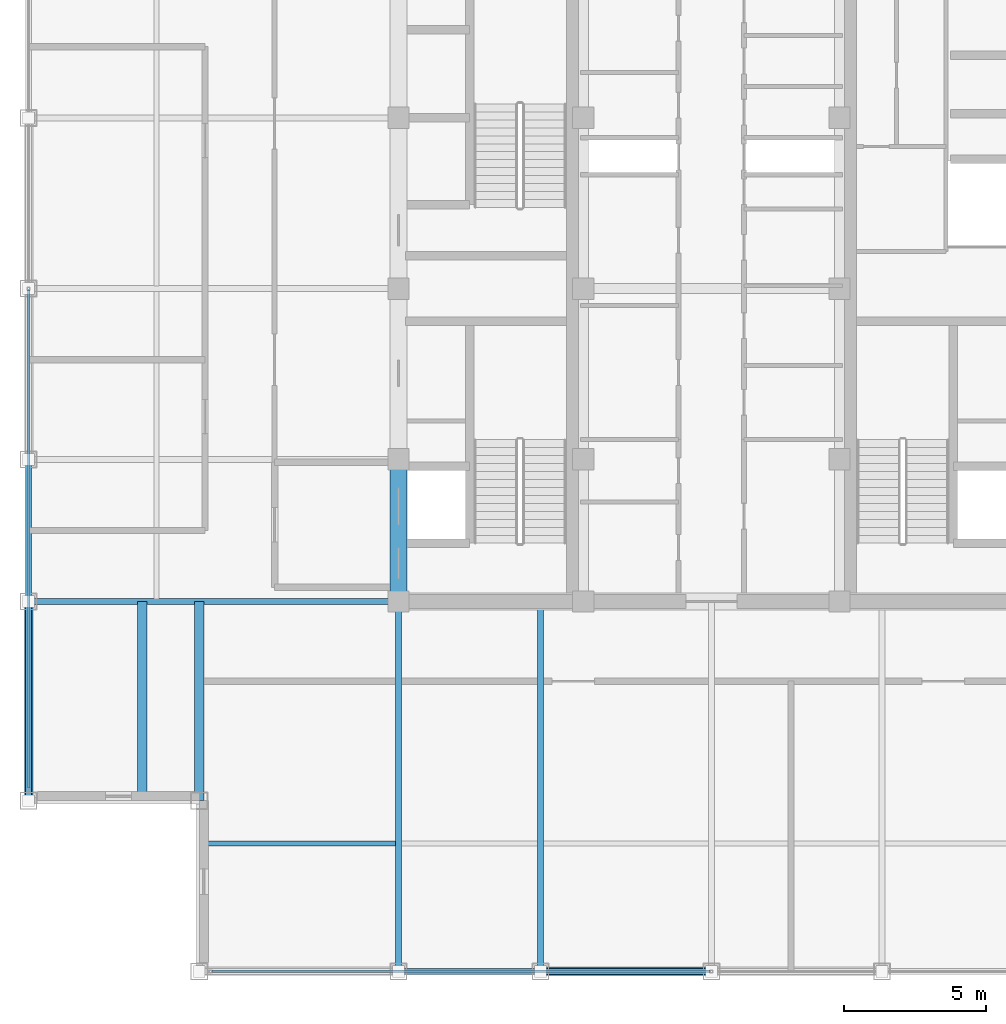
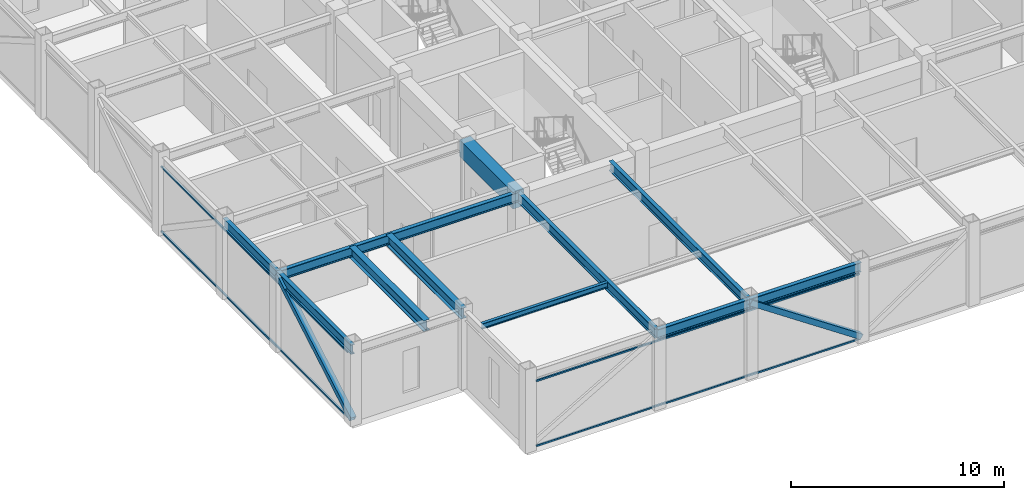
# One storey, part 3 of 27: 11 beams, 6 members, 2 elements without a shape of their own.
"""IFC4 building model written with IfcOpenShell, lengths in metres."""

from ifc_helpers import new_model, si_unit, direction, frame, origin, origin_2d, place, context, subcontext, project, spatial, rectangle, hollow_rectangle, i_section, extrude, source, transform, mapped, material, material_profile, profile_set, type_object, element, aggregate, save


model = new_model("IFC4")

# Units and contexts
model_context = context("Model", 3, precision=1e-05, world=origin(), true_north=direction((0.0, 1.0)))
body_context = subcontext(model_context, "Body", "Model", "MODEL_VIEW")
ifc_project = project(units=[si_unit("LENGTHUNIT", "METRE"), si_unit("AREAUNIT", "SQUARE_METRE"), si_unit("VOLUMEUNIT", "CUBIC_METRE"), si_unit("PLANEANGLEUNIT", "RADIAN"), si_unit("MASSUNIT", "GRAM", prefix="KILO")], contexts=[model_context])

# Site, building, storey
site_placement = place(None, origin())
site = spatial("IfcSite", under=ifc_project, at=site_placement, CompositionType="ELEMENT")
building_placement = place(site_placement, origin())
building = spatial("IfcBuilding", under=site, at=building_placement, Name="Khorayat Bourse Tower", CompositionType="ELEMENT")
storey_placement = place(building_placement, frame((0.0, 0.0, 394.699951171875)))
storey = spatial("IfcBuildingStorey", under=building, at=storey_placement, Name="L93", CompositionType="ELEMENT", Elevation=394.699951171875)

# Beams
ifc_material_1 = material(Name="Concrete C60/75", Category="concrete")
ifc_material_profile_1 = material_profile(ifc_material_1, rectangle(XDim=0.60009765625, YDim=0.949951171875, at=origin_2d()), Name="RC 600x950")
ifc_profile_set_1 = profile_set([ifc_material_profile_1], Name="Concrete C60/75")
beam_type_1 = type_object("IfcBeamType", Name="BM-COUP-950", PredefinedType="BEAM", material=ifc_profile_set_1)
shared_shape_1 = source(origin(), body_context, "Body", "SweptSolid", [
    extrude(rectangle(XDim=0.60009765625, YDim=0.949951171875, at=origin_2d()), origin(), (0.0, 0.0, 1.0), 5.0),
])
beam_1_placement = place(storey_placement, frame((-11.0, -11.0, 3.97509765625), z_axis=(0.0, 1.0, 0.0), x_axis=(-1.0, 0.0, 0.0)))
element("IfcBeam", 1, at=beam_1_placement, inside=storey, type_object=beam_type_1, Name="L93 BM-COUP-950 BM-L93-CRX-01", PredefinedType="BEAM", context=body_context, shape_type="MappedRepresentation", body=[
    mapped(shared_shape_1, transform((0.0, 0.0, 0.0), scale=1.0)),
])
ifc_material_2 = material(Name="Steel ASTM A992 Grade 50", Category="steel")
ifc_material_profile_2 = material_profile(ifc_material_2, i_section(OverallWidth=0.214111328125, OverallDepth=0.549072265625, WebThickness=0.0146484375, FlangeThickness=0.023681640625, FilletRadius=0.013916015625, at=origin_2d()), Name="W530X138")
ifc_profile_set_2 = profile_set([ifc_material_profile_2], Name="Steel ASTM A992 Grade 50")
beam_type_2 = type_object("IfcBeamType", Name="BM-SPAN-530", PredefinedType="SPANDREL", material=ifc_profile_set_2)
shared_shape_2 = source(origin(), body_context, "Body", "SweptSolid", [
    extrude(i_section(OverallWidth=0.214111328125, OverallDepth=0.549072265625, WebThickness=0.0146484375, FlangeThickness=0.023681640625, FilletRadius=0.013916015625, at=origin_2d()), origin(), (0.0, 0.0, 1.0), 5.0),
])
for number, where, z_axis, x_axis, name in (
    (2, (-11.0, -24.0, 4.175537109375), (1.0, 0.0, 0.0), (0.0, 1.0, 0.0), "L93 BM-SPAN-530 BM-L93-SPN-025"),
    (3, (-24.0, -11.0, 4.175537109375), (0.0, 1.0, 0.0), (-1.0, 0.0, 0.0), "L93 BM-SPAN-530 BM-L93-SPN-052"),
):
    element("IfcBeam", number, at=place(storey_placement, frame(where, z_axis=z_axis, x_axis=x_axis)), inside=storey, type_object=beam_type_2, Name=name, PredefinedType="SPANDREL", context=body_context, shape_type="MappedRepresentation", body=[
        mapped(shared_shape_2, transform((0.0, 0.0, 0.0), scale=1.0)),
    ])
shared_shape_3 = source(origin(), body_context, "Body", "SweptSolid", [
    extrude(i_section(OverallWidth=0.214111328125, OverallDepth=0.549072265625, WebThickness=0.0146484375, FlangeThickness=0.023681640625, FilletRadius=0.013916015625, at=origin_2d()), origin(), (0.0, 0.0, 1.0), 6.0),
])
beam_2_placement = place(storey_placement, frame((-6.0, -24.0, 4.175537109375), z_axis=(1.0, 0.0, 0.0), x_axis=(0.0, 1.0, 0.0)))
element("IfcBeam", 4, at=beam_2_placement, inside=storey, type_object=beam_type_2, Name="L93 BM-SPAN-530 BM-L93-SPN-026", PredefinedType="SPANDREL", context=body_context, shape_type="MappedRepresentation", body=[
    mapped(shared_shape_3, transform((0.0, 0.0, 0.0), scale=1.0)),
])
shared_shape_4 = source(origin(), body_context, "Body", "SweptSolid", [
    extrude(i_section(OverallWidth=0.214111328125, OverallDepth=0.549072265625, WebThickness=0.0146484375, FlangeThickness=0.023681640625, FilletRadius=0.013916015625, at=origin_2d()), origin(), (0.0, 0.0, 1.0), 7.0),
])
beam_3_placement = place(storey_placement, frame((-24.0, -18.0, 4.175537109375), z_axis=(0.0, 1.0, 0.0), x_axis=(-1.0, 0.0, 0.0)))
element("IfcBeam", 5, at=beam_3_placement, inside=storey, type_object=beam_type_2, Name="L93 BM-SPAN-530 BM-L93-SPN-053", PredefinedType="SPANDREL", context=body_context, shape_type="MappedRepresentation", body=[
    mapped(shared_shape_4, transform((0.0, 0.0, 0.0), scale=1.0)),
])
ifc_material_profile_3 = material_profile(ifc_material_2, i_section(OverallWidth=0.214111328125, OverallDepth=0.549072265625, WebThickness=0.0146484375, FlangeThickness=0.023681640625, FilletRadius=0.013916015625, at=origin_2d()), Name="W530X138")
ifc_profile_set_3 = profile_set([ifc_material_profile_3], Name="Steel ASTM A992 Grade 50")
beam_type_3 = type_object("IfcBeamType", Name="BM-GIRD-530", PredefinedType="BEAM", material=ifc_profile_set_3)
shared_shape_5 = source(origin(), body_context, "Body", "SweptSolid", [
    extrude(i_section(OverallWidth=0.214111328125, OverallDepth=0.549072265625, WebThickness=0.0146484375, FlangeThickness=0.023681640625, FilletRadius=0.013916015625, at=origin_2d()), origin(), (0.0, 0.0, 1.0), 13.0),
])
for number, where, z_axis, x_axis, name in (
    (6, (-11.0, -24.0, 4.175537109375), (0.0, 1.0, 0.0), (-1.0, 0.0, 0.0), "L93 BM-GIRD-530 BM-L93-RADY-057"),
    (7, (-6.0, -24.0, 4.175537109375), (0.0, 1.0, 0.0), (-1.0, 0.0, 0.0), "L93 BM-GIRD-530 BM-L93-RADY-059"),
    (8, (-24.0, -11.0, 4.175537109375), (1.0, 0.0, 0.0), (0.0, 1.0, 0.0), "L93 BM-GIRD-530 BM-L93-RADX-067"),
):
    element("IfcBeam", number, at=place(storey_placement, frame(where, z_axis=z_axis, x_axis=x_axis)), inside=storey, type_object=beam_type_3, Name=name, PredefinedType="BEAM", context=body_context, shape_type="MappedRepresentation", body=[
        mapped(shared_shape_5, transform((0.0, 0.0, 0.0), scale=1.0)),
    ])
ifc_material_profile_4 = material_profile(ifc_material_2, i_section(OverallWidth=0.324951171875, OverallDepth=0.615966796875, WebThickness=0.013916015625, FlangeThickness=0.021484375, FilletRadius=0.01611328125, at=origin_2d()), Name="W610X174")
ifc_profile_set_4 = profile_set([ifc_material_profile_4], Name="Steel ASTM A992 Grade 50")
beam_type_4 = type_object("IfcBeamType", Name="BM-GIRD-610", PredefinedType="BEAM", material=ifc_profile_set_4)
shared_shape_6 = source(origin(), body_context, "Body", "SweptSolid", [
    extrude(i_section(OverallWidth=0.324951171875, OverallDepth=0.615966796875, WebThickness=0.013916015625, FlangeThickness=0.021484375, FilletRadius=0.01611328125, at=origin_2d()), origin(), (0.0, 0.0, 1.0), 7.0),
])
for number, where, z_axis, x_axis, name in (
    (9, (-18.0, -18.0, 4.14208984375), (0.0, 1.0, 0.0), (-1.0, 0.0, 0.0), "L93 BM-GIRD-610 BM-L93-CNRY-076"),
    (10, (-20.0, -18.0, 4.14208984375), (0.0, 1.0, 0.0), (-1.0, 0.0, 0.0), "L93 BM-GIRD-610 BM-L93-CNRY-080"),
):
    element("IfcBeam", number, at=place(storey_placement, frame(where, z_axis=z_axis, x_axis=x_axis)), inside=storey, type_object=beam_type_4, Name=name, PredefinedType="BEAM", context=body_context, shape_type="MappedRepresentation", body=[
        mapped(shared_shape_6, transform((0.0, 0.0, 0.0), scale=1.0)),
    ])
ifc_material_profile_5 = material_profile(ifc_material_2, i_section(OverallWidth=0.1669921875, OverallDepth=0.31689453125, WebThickness=0.007568359375, FlangeThickness=0.01318359375, FilletRadius=0.010009765625, at=origin_2d()), Name="W310X52")
ifc_profile_set_5 = profile_set([ifc_material_profile_5], Name="Steel ASTM A992 Grade 50")
beam_type_5 = type_object("IfcBeamType", Name="BM-JOIST-310", PredefinedType="JOIST", material=ifc_profile_set_5)
shared_shape_7 = source(origin(), body_context, "Body", "SweptSolid", [
    extrude(i_section(OverallWidth=0.1669921875, OverallDepth=0.31689453125, WebThickness=0.007568359375, FlangeThickness=0.01318359375, FilletRadius=0.010009765625, at=origin_2d()), origin(), (0.0, 0.0, 1.0), 6.81005859375),
])
beam_4_placement = place(storey_placement, frame((-17.905029296875, -19.5, 4.29150390625), z_axis=(1.0, 0.0, 0.0), x_axis=(0.0, 1.0, 0.0)))
element("IfcBeam", 11, at=beam_4_placement, inside=storey, type_object=beam_type_5, Name="L93 BM-JOIST-310 BM-L93-JSTX-084", PredefinedType="JOIST", context=body_context, shape_type="MappedRepresentation", body=[
    mapped(shared_shape_7, transform((0.0, 0.0, 0.0), scale=1.0)),
])

# Members
ifc_material_3 = material(Name="Steel EN 10025-2 S355J2", Category="steel")
ifc_material_profile_6 = material_profile(ifc_material_3, hollow_rectangle(XDim=0.300048828125, YDim=0.300048828125, WallThickness=0.01611328125, at=origin_2d()), Name="HSS 300x300x16")
ifc_profile_set_6 = profile_set([ifc_material_profile_6], Name="Steel EN 10025-2 S355J2")
member_type_1 = type_object("IfcMemberType", Name="MBR-CROWN-300", PredefinedType="USERDEFINED", material=ifc_profile_set_6)
shared_shape_8 = source(origin(), body_context, "Body", "SweptSolid", [
    extrude(hollow_rectangle(XDim=0.300048828125, YDim=0.300048828125, WallThickness=0.01611328125, at=origin_2d()), origin(), (0.0, 0.0, 1.0), 8.087158203125),
])
member_1_placement = place(storey_placement, frame((-24.0, -18.0, 0.199951171875), z_axis=(0.0, 0.865564731219, 0.500797060763), x_axis=(-1.0, 0.0, 0.0)))
element("IfcMember", 12, at=member_1_placement, inside=storey, type_object=member_type_1, Name="L93 Lantern Crown Frame Member 09", ObjectType="CROWN FRAME", PredefinedType="USERDEFINED", context=body_context, shape_type="MappedRepresentation", body=[
    mapped(shared_shape_8, transform((0.0, 0.0, 0.0), scale=1.0)),
])
shared_shape_9 = source(origin(), body_context, "Body", "SweptSolid", [
    extrude(hollow_rectangle(XDim=0.300048828125, YDim=0.300048828125, WallThickness=0.01611328125, at=origin_2d()), origin(), (0.0, 0.0, 1.0), 7.239013671875),
])
member_2_placement = place(storey_placement, frame((-6.0, -24.0, 4.25), z_axis=(0.828845546207, 0.0, -0.559477488852), x_axis=(0.0, 1.0, 0.0)))
element("IfcMember", 13, at=member_2_placement, inside=storey, type_object=member_type_1, Name="L93 Lantern Crown Frame Member 02", ObjectType="CROWN FRAME", PredefinedType="USERDEFINED", context=body_context, shape_type="MappedRepresentation", body=[
    mapped(shared_shape_9, transform((0.0, 0.0, 0.0), scale=1.0)),
])

# Curtain wall, members
ifc_material_4 = material(Name="Aluminium EN AW-6063 T6", Category="aluminium")
curtain_wall_type = type_object("IfcCurtainWallType", Name="CW-SYS-07", PredefinedType="NOTDEFINED", material=ifc_material_4)
curtain_wall_1_placement = place(storey_placement, origin())
curtain_wall_1 = element("IfcCurtainWall", 14, at=curtain_wall_1_placement, inside=storey, type_object=curtain_wall_type, Name="L93 Curtain Wall CW-L93-S1", PredefinedType="NOTDEFINED")
ifc_material_profile_7 = material_profile(ifc_material_4, hollow_rectangle(XDim=0.090087890625, YDim=0.090087890625, WallThickness=0.00390625, at=origin_2d()), Name="ALU 90x90x4")
ifc_profile_set_7 = profile_set([ifc_material_profile_7], Name="Aluminium EN AW-6063 T6")
member_type_2 = type_object("IfcMemberType", Name="CWT-HORZ-90", PredefinedType="USERDEFINED", material=ifc_profile_set_7)
shared_shape_10 = source(origin(), body_context, "Body", "SweptSolid", [
    extrude(hollow_rectangle(XDim=0.090087890625, YDim=0.090087890625, WallThickness=0.00390625, at=origin_2d()), origin(), (0.0, 0.0, 1.0), 17.5),
])
member_3_placement = place(storey_placement, frame((-17.550048828125, -24.0, 0.045166015625), z_axis=(1.0, 0.0, 0.0), x_axis=(0.0, 1.0, 0.0)))
member_3 = element("IfcMember", 15, at=member_3_placement, type_object=member_type_2, Name="CW-L93-S1 Horizontal Transom 1-1", ObjectType="TRANSOM", PredefinedType="USERDEFINED", context=body_context, shape_type="MappedRepresentation", body=[
    mapped(shared_shape_10, transform((0.0, 0.0, 0.0), scale=1.0)),
])
member_4_placement = place(storey_placement, frame((-17.550048828125, -24.0, 3.755126953125), z_axis=(1.0, 0.0, 0.0), x_axis=(0.0, 1.0, 0.0)))
member_4 = element("IfcMember", 16, at=member_4_placement, type_object=member_type_2, Name="CW-L93-S1 Horizontal Transom 1-2", ObjectType="TRANSOM", PredefinedType="USERDEFINED", context=body_context, shape_type="MappedRepresentation", body=[
    mapped(shared_shape_10, transform((0.0, 0.0, 0.0), scale=1.0)),
])
aggregate(curtain_wall_1, [member_3, member_4])

curtain_wall_2_placement = place(storey_placement, origin())
curtain_wall_2 = element("IfcCurtainWall", 17, at=curtain_wall_2_placement, inside=storey, type_object=curtain_wall_type, Name="L93 Curtain Wall CW-L93-W1", PredefinedType="NOTDEFINED")
member_5_placement = place(storey_placement, frame((-24.0, -17.550048828125, 0.045166015625), z_axis=(0.0, 1.0, 0.0), x_axis=(-1.0, 0.0, 0.0)))
member_5 = element("IfcMember", 18, at=member_5_placement, type_object=member_type_2, Name="CW-L93-W1 Horizontal Transom 1-1", ObjectType="TRANSOM", PredefinedType="USERDEFINED", context=body_context, shape_type="MappedRepresentation", body=[
    mapped(shared_shape_10, transform((0.0, 0.0, 0.0), scale=1.0)),
])
member_6_placement = place(storey_placement, frame((-24.0, -17.550048828125, 3.755126953125), z_axis=(0.0, 1.0, 0.0), x_axis=(-1.0, 0.0, 0.0)))
member_6 = element("IfcMember", 19, at=member_6_placement, type_object=member_type_2, Name="CW-L93-W1 Horizontal Transom 1-2", ObjectType="TRANSOM", PredefinedType="USERDEFINED", context=body_context, shape_type="MappedRepresentation", body=[
    mapped(shared_shape_10, transform((0.0, 0.0, 0.0), scale=1.0)),
])
aggregate(curtain_wall_2, [member_5, member_6])

save(model, "model.ifc")
